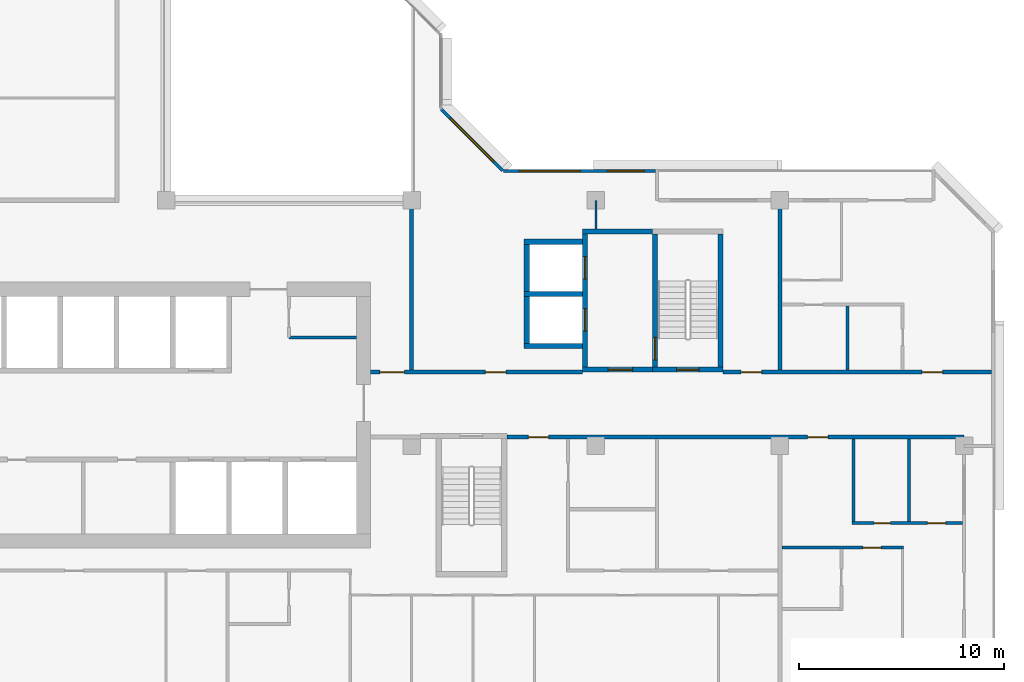
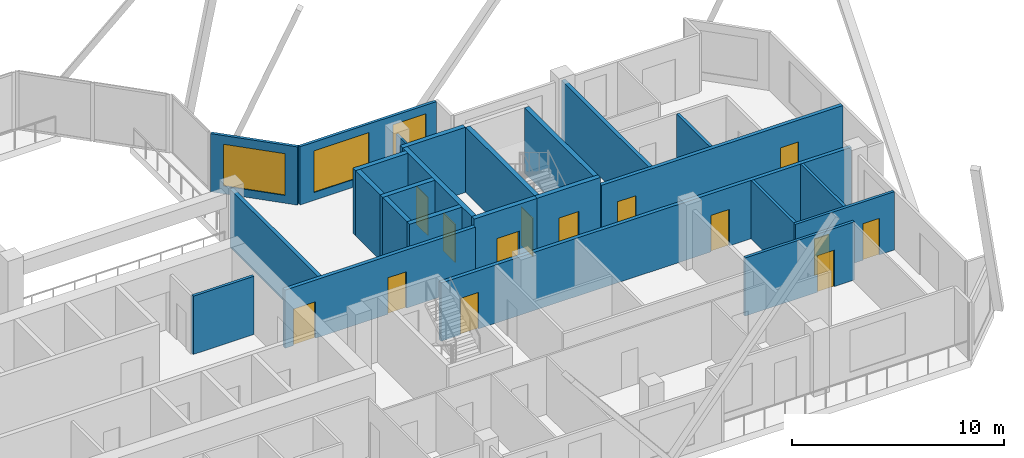
# One storey, part 7 of 14: 25 walls, 14 doors, 3 windows, 17 openings.
"""IFC4 building model written with IfcOpenShell, lengths in metres."""

import ifcopenshell
import ifcopenshell.guid

model = None  # the IFC model being written
_history = None  # IfcOwnerHistory: only IFC2X3 demands one
_inside = {}  # id of a spatial element -> (the spatial element, [elements in it])
_under = {}  # id of a project, library or spatial element -> (it, [spatial elements below it])
_declared = {}  # id of a project -> (the project, [libraries it declares])
_typed = {}  # id of a type object -> (the type object, [elements of that type])
_made_of = {}  # id of a material, layer set ... -> (it, [elements and type objects made of it])


def new_model(schema):
    """Start an empty IFC model of exactly this schema.

    Asked for "IFC4X3", IfcOpenShell would pick the latest addendum, in which some entities
    have other attributes; the version numbers below select the first issue.
    IFC2X3 requires an IfcOwnerHistory on every rooted entity: one is made here for all.
    """
    global model, _history
    if schema == "IFC4X3":
        model = ifcopenshell.file(schema_version=(4, 3, 0, 0))
    else:
        model = ifcopenshell.file(schema=schema)
    _inside.clear()
    _under.clear()
    _declared.clear()
    _typed.clear()
    _made_of.clear()
    _history = None
    if model.schema == "IFC2X3":
        org = make("IfcOrganization", Name="unknown")
        user = make(
            "IfcPersonAndOrganization",
            ThePerson=make("IfcPerson", FamilyName="unknown"),
            TheOrganization=org,
        )
        app = make(
            "IfcApplication",
            ApplicationDeveloper=org,
            Version="unknown",
            ApplicationFullName="unknown",
            ApplicationIdentifier="unknown",
        )
        _history = make(
            "IfcOwnerHistory",
            OwningUser=user,
            OwningApplication=app,
            ChangeAction="ADDED",
            CreationDate=0,
        )
    return model


def make(cls, **values):
    """One entity of the class cls with the attributes given. An attribute that is None is left unset."""
    return model.create_entity(
        cls, **{name: value for name, value in values.items() if value is not None}
    )


def rooted(cls, **values):
    """An entity with a GlobalId (a new one), such as an element, a storey or a relation."""
    return make(cls, GlobalId=ifcopenshell.guid.new(), OwnerHistory=_history, **values)


def si_unit(unit_type, name, prefix=None):
    """IfcSIUnit, for example si_unit("LENGTHUNIT", "METRE", prefix="MILLI")."""
    return make("IfcSIUnit", UnitType=unit_type, Prefix=prefix, Name=name)


def assignment(units):
    """IfcUnitAssignment: the units of a project."""
    return None if units is None else make("IfcUnitAssignment", Units=units)


def point(xyz):
    """IfcCartesianPoint."""
    return None if xyz is None else make("IfcCartesianPoint", Coordinates=xyz)


def direction(xyz):
    """IfcDirection."""
    return None if xyz is None else make("IfcDirection", DirectionRatios=xyz)


def frame(location, z_axis=None, x_axis=None):
    """IfcAxis2Placement3D, a coordinate frame: its origin and axes. An axis left out is left unset."""
    return make(
        "IfcAxis2Placement3D",
        Location=point(location),
        Axis=direction(z_axis),
        RefDirection=direction(x_axis),
    )


def frame_2d(location, x_axis=None):
    """IfcAxis2Placement2D, a coordinate frame in the plane: its origin and x axis."""
    return make(
        "IfcAxis2Placement2D", Location=point(location), RefDirection=direction(x_axis)
    )


def origin():
    """The frame at (0, 0, 0) with its axes left unset."""
    return frame((0.0, 0.0, 0.0))


def place(relative_to, where):
    """IfcLocalPlacement: puts the frame where relative to a parent placement (None: the world)."""
    return make(
        "IfcLocalPlacement", PlacementRelTo=relative_to, RelativePlacement=where
    )


def context(
    kind, dimensions, precision=None, world=None, true_north=None, identifier=None
):
    """IfcGeometricRepresentationContext, for example the 3D "Model" context."""
    return make(
        "IfcGeometricRepresentationContext",
        ContextIdentifier=identifier,
        ContextType=kind,
        CoordinateSpaceDimension=dimensions,
        Precision=precision,
        WorldCoordinateSystem=world,
        TrueNorth=true_north,
    )


def subcontext(parent, identifier, kind, view, scale=None):
    """IfcGeometricRepresentationSubContext, for example "Body" below "Model"."""
    return make(
        "IfcGeometricRepresentationSubContext",
        ContextIdentifier=identifier,
        ContextType=kind,
        ParentContext=parent,
        TargetScale=scale,
        TargetView=view,
    )


def project(units=None, contexts=None):
    """IfcProject with its units and contexts."""
    return rooted(
        "IfcProject",
        Name="project",
        RepresentationContexts=contexts,
        UnitsInContext=assignment(units),
    )


def spatial(cls, under=None, at=None, **own):
    """A site, building, storey or space (cls), placed at a placement, below another one or the project."""
    s = rooted(cls, ObjectPlacement=at, **own)
    if under is not None:
        _under.setdefault(under.id(), (under, []))[1].append(s)
    return s


def profile(cls, at=None, kind="AREA", **sizes):
    """A parametric profile (cls). Its sizes go by their IFC names, for example OverallWidth=200.0."""
    return make(cls, ProfileType=kind, Position=at, **sizes)


def rectangle(**sizes):
    """IfcRectangleProfileDef."""
    return profile("IfcRectangleProfileDef", **sizes)


def extrude(swept, where, along, depth):
    """IfcExtrudedAreaSolid: the profile swept, set in the frame where, extruded along a direction by depth."""
    return make(
        "IfcExtrudedAreaSolid",
        SweptArea=swept,
        Position=where,
        ExtrudedDirection=direction(along),
        Depth=depth,
    )


def shape(context_of_items, identifier, shape_type, items):
    """IfcShapeRepresentation: the items that make up one representation, for example the "Body"."""
    return make(
        "IfcShapeRepresentation",
        ContextOfItems=context_of_items,
        RepresentationIdentifier=identifier,
        RepresentationType=shape_type,
        Items=items,
    )


def material(Name=None, Category=None):
    """IfcMaterial."""
    return make("IfcMaterial", Name=Name, Category=Category)


def layer(
    of_material, thickness, ventilated=None, Name=None, Category=None, Priority=None
):
    """IfcMaterialLayer: one layer of a wall or slab, of a material (None: an air gap)."""
    return make(
        "IfcMaterialLayer",
        Material=of_material,
        LayerThickness=thickness,
        IsVentilated=ventilated,
        Name=Name,
        Category=Category,
        Priority=Priority,
    )


def layer_set(layers, Name=None):
    """IfcMaterialLayerSet."""
    return make("IfcMaterialLayerSet", MaterialLayers=layers, LayerSetName=Name)


def made_of(thing, what):
    """Note that an element or type object is made of a material, layer set ...; save() writes the relation."""
    if what is not None:
        _made_of.setdefault(what.id(), (what, []))[1].append(thing)
    return thing


def type_object(cls, material=None, **own):
    """A type object (cls), such as IfcWallType, which elements share."""
    return made_of(rooted(cls, **own), material)


def element(
    cls,
    number,
    at=None,
    inside=None,
    cuts=None,
    type_object=None,
    material=None,
    context=None,
    identifier="Body",
    shape_type=None,
    held_by="IfcProductDefinitionShape",
    body=None,
    shapes=None,
    **own,
):
    """One element of the class cls, such as IfcWall. Its Tag is "e" and its number.

    at: its placement. inside: the storey or other place that contains it. cuts: it is an
    opening in that element (IfcRelVoidsElement). A single representation is given by context,
    identifier, shape_type and body (its items); several are given by shapes. held_by: the class
    of the entity that holds the representations. save() writes the other relations.
    """
    e = rooted(cls, Tag="e%d" % number, ObjectPlacement=at, **own)
    if body is not None:
        shapes = [shape(context, identifier, shape_type, body)]
    if shapes is not None:
        e.Representation = make(held_by, Representations=shapes)
    if inside is not None:
        _inside.setdefault(inside.id(), (inside, []))[1].append(e)
    if cuts is not None:
        rooted(
            "IfcRelVoidsElement", RelatingBuildingElement=cuts, RelatedOpeningElement=e
        )
    if type_object is not None:
        _typed.setdefault(type_object.id(), (type_object, []))[1].append(e)
    return made_of(e, material)


def fill(opening, filler):
    """IfcRelFillsElement: the door or window that sits in an opening."""
    return rooted(
        "IfcRelFillsElement",
        RelatingOpeningElement=opening,
        RelatedBuildingElement=filler,
    )


def aggregate(whole, parts):
    """IfcRelAggregates: a whole, such as a stair, and the parts it consists of."""
    return rooted("IfcRelAggregates", RelatingObject=whole, RelatedObjects=parts)


def save(model, path):
    """Write the relations noted so far, then the file.

    IfcRelAggregates (storeys below a building ...), IfcRelContainedInSpatialStructure (elements
    in a storey), IfcRelDefinesByType, IfcRelAssociatesMaterial and IfcRelDeclares: one each for
    every whole, place, type object, material and project.
    """
    for whole, parts in _under.values():
        aggregate(whole, parts)
    for where, things in _inside.values():
        rooted(
            "IfcRelContainedInSpatialStructure",
            RelatedElements=things,
            RelatingStructure=where,
        )
    for kind, things in _typed.values():
        rooted("IfcRelDefinesByType", RelatedObjects=things, RelatingType=kind)
    for what, things in _made_of.values():
        rooted("IfcRelAssociatesMaterial", RelatedObjects=things, RelatingMaterial=what)
    for by, libraries in _declared.values():
        rooted("IfcRelDeclares", RelatingContext=by, RelatedDefinitions=libraries)
    model.write(path)


model = new_model("IFC4")

# Units and contexts
model_context = context("Model", 3, precision=1e-05, world=origin(), true_north=direction((0.0, 1.0)))
body_context = subcontext(model_context, "Body", "Model", "MODEL_VIEW")
ifc_project = project(units=[si_unit("LENGTHUNIT", "METRE"), si_unit("AREAUNIT", "SQUARE_METRE"), si_unit("VOLUMEUNIT", "CUBIC_METRE"), si_unit("PLANEANGLEUNIT", "RADIAN"), si_unit("MASSUNIT", "GRAM", prefix="KILO")], contexts=[model_context])

# Site, building, storey
site_placement = place(None, origin())
site = spatial("IfcSite", under=ifc_project, at=site_placement, CompositionType="ELEMENT")
building_placement = place(site_placement, origin())
building = spatial("IfcBuilding", under=site, at=building_placement, Name="Chenar Terraces", CompositionType="ELEMENT")
storey_placement = place(building_placement, frame((0.0, 0.0, 234.14990234375)))
storey = spatial("IfcBuildingStorey", under=building, at=storey_placement, Name="L55", CompositionType="ELEMENT", Elevation=234.14990234375)

# Wall
ifc_material_1 = material(Name="Gypsum board on steel studs", Category="steel")
ifc_layer_1 = layer(ifc_material_1, 0.14990234375)
ifc_layer_set_1 = layer_set([ifc_layer_1], Name="Gypsum board on steel studs")
wall_type_1 = type_object("IfcWallType", Name="Core partition 150 gypsum board", PredefinedType="PARTITIONING", material=ifc_layer_set_1)
wall_1_placement = place(storey_placement, frame((30.0, 17.300048828125, 0.0), z_axis=(0.0, 0.0, 1.0), x_axis=(1.0, 0.0, 0.0)))
element("IfcWall", 1, at=wall_1_placement, inside=storey, type_object=wall_type_1, Name="Core partition CP1 vestibule room south wall", PredefinedType="PARTITIONING", context=body_context, shape_type="SweptSolid", body=[
    extrude(rectangle(XDim=3.300048828125, YDim=0.14990234375, at=frame_2d((1.64990234375, 0.0))), origin(), (0.0, 0.0, 1.0), 3.35009765625),
])

# Wall, opening, door
ifc_material_2 = material(Name="Concrete C60/75", Category="concrete")
ifc_layer_2 = layer(ifc_material_2, 0.25)
ifc_layer_set_2 = layer_set([ifc_layer_2], Name="Concrete C60/75")
wall_type_2 = type_object("IfcWallType", Name="Core wall 250 Concrete C60/75", PredefinedType="SHEAR", material=ifc_layer_set_2)
wall_2_placement = place(storey_placement, frame((47.77490234375, 15.72509765625, 0.0), z_axis=(0.0, 0.0, 1.0), x_axis=(1.0, 0.0, 0.0)))
wall_2 = element("IfcWall", 2, at=wall_2_placement, inside=storey, type_object=wall_type_2, Name="Core wall ST3_S L55", PredefinedType="SHEAR", context=body_context, shape_type="SweptSolid", body=[
    extrude(rectangle(XDim=3.4501953125, YDim=0.25, at=frame_2d((1.72509765625, 0.0))), origin(), (0.0, 0.0, 1.0), 3.75),
])
opening_1_placement = place(wall_2_placement, frame((1.175048828125, 0.0, 0.0)))
opening_1 = element("IfcOpeningElement", 3, at=opening_1_placement, cuts=wall_2, Name="Opening DL55-C8", PredefinedType="OPENING", context=body_context, shape_type="SweptSolid", body=[
    extrude(rectangle(XDim=1.10009765625, YDim=2.199951171875, at=frame_2d((0.550048828125, 1.10009765625))), frame((0.0, 0.135009765625, 0.0), z_axis=(0.0, -1.0, 0.0), x_axis=(1.0, 0.0, 0.0)), (0.0, 0.0, 1.0), 0.27001953125),
])
ifc_material_3 = material(Name="Steel-framed fire-resisting door leaf", Category="steel")
door_type_1 = type_object("IfcDoorType", Name="Stair fire door FD60 1100 x 2200", OperationType="SINGLE_SWING_LEFT", PredefinedType="DOOR", material=ifc_material_3)
door_1_placement = place(opening_1_placement, frame((1.10009765625, 0.0, 0.0), z_axis=(0.0, 0.0, 1.0), x_axis=(-1.0, 0.0, 0.0)))
door_1 = element("IfcDoor", 4, at=door_1_placement, inside=storey, type_object=door_type_1, Name="Stair door DL55-C8", OperationType="SINGLE_SWING_LEFT", OverallHeight=2.199951171875, OverallWidth=1.10009765625, PredefinedType="DOOR", context=body_context, shape_type="SweptSolid", body=[
    extrude(rectangle(XDim=1.10009765625, YDim=2.199951171875, at=frame_2d((0.550048828125, 1.10009765625))), frame((0.0, 0.02490234375, 0.0), z_axis=(0.0, -1.0, 0.0), x_axis=(1.0, 0.0, 0.0)), (0.0, 0.0, 1.0), 0.050048828125),
])
fill(opening_1, door_1)

wall_3_placement = place(storey_placement, frame((47.89990234375, 15.85009765625, 0.0), z_axis=(0.0, 0.0, 1.0), x_axis=(0.0, 1.0, 0.0)))
wall_3 = element("IfcWall", 5, at=wall_3_placement, inside=storey, type_object=wall_type_2, Name="Core wall ST3_W L55", PredefinedType="SHEAR", context=body_context, shape_type="SweptSolid", body=[
    extrude(rectangle(XDim=6.5, YDim=0.25, at=frame_2d((3.25, 0.0))), origin(), (0.0, 0.0, 1.0), 3.75),
])
opening_2_placement = place(wall_3_placement, frame((0.35009765625, 0.0, 0.0)))
opening_2 = element("IfcOpeningElement", 6, at=opening_2_placement, cuts=wall_3, Name="Opening DL55-C11", PredefinedType="OPENING", context=body_context, shape_type="SweptSolid", body=[
    extrude(rectangle(XDim=1.10009765625, YDim=2.199951171875, at=frame_2d((0.550048828125, 1.10009765625))), frame((0.0, 0.135009765625, 0.0), z_axis=(0.0, -1.0, 0.0), x_axis=(1.0, 0.0, 0.0)), (0.0, 0.0, 1.0), 0.27001953125),
])
door_2_placement = place(opening_2_placement, frame((1.10009765625, 0.0, 0.0), z_axis=(0.0, 0.0, 1.0), x_axis=(-1.0, 0.0, 0.0)))
door_2 = element("IfcDoor", 7, at=door_2_placement, inside=storey, type_object=door_type_1, Name="Stair door DL55-C11", OperationType="SINGLE_SWING_RIGHT", OverallHeight=2.199951171875, OverallWidth=1.10009765625, PredefinedType="DOOR", context=body_context, shape_type="SweptSolid", body=[
    extrude(rectangle(XDim=1.10009765625, YDim=2.199951171875, at=frame_2d((0.550048828125, 1.10009765625))), frame((0.0, 0.02490234375, 0.0), z_axis=(0.0, -1.0, 0.0), x_axis=(1.0, 0.0, 0.0)), (0.0, 0.0, 1.0), 0.050048828125),
])
fill(opening_2, door_2)

# Wall
wall_4_placement = place(storey_placement, frame((51.10009765625, 15.85009765625, 0.0), z_axis=(0.0, 0.0, 1.0), x_axis=(0.0, 1.0, 0.0)))
element("IfcWall", 8, at=wall_4_placement, inside=storey, type_object=wall_type_2, Name="Core wall ST3_E L55", PredefinedType="SHEAR", context=body_context, shape_type="SweptSolid", body=[
    extrude(rectangle(XDim=6.5, YDim=0.25, at=frame_2d((3.25, 0.0))), origin(), (0.0, 0.0, 1.0), 3.75),
])

# Wall, opening, door
wall_5_placement = place(storey_placement, frame((44.35009765625, 15.72509765625, 0.0), z_axis=(0.0, 0.0, 1.0), x_axis=(1.0, 0.0, 0.0)))
wall_5 = element("IfcWall", 9, at=wall_5_placement, inside=storey, type_object=wall_type_2, Name="Core wall F3_LS L55", PredefinedType="SHEAR", context=body_context, shape_type="SweptSolid", body=[
    extrude(rectangle(XDim=3.4248046875, YDim=0.25, at=frame_2d((1.71240234375, 0.0))), origin(), (0.0, 0.0, 1.0), 3.75),
])
opening_3_placement = place(wall_5_placement, frame((1.25, 0.0, 0.0)))
opening_3 = element("IfcOpeningElement", 10, at=opening_3_placement, cuts=wall_5, Name="Opening DL55-C10", PredefinedType="OPENING", context=body_context, shape_type="SweptSolid", body=[
    extrude(rectangle(XDim=1.199951171875, YDim=2.199951171875, at=frame_2d((0.60009765625, 1.10009765625))), frame((0.0, 0.135009765625, 0.0), z_axis=(0.0, -1.0, 0.0), x_axis=(1.0, 0.0, 0.0)), (0.0, 0.0, 1.0), 0.27001953125),
])
ifc_material_4 = material(Name="Steel-framed fire-resisting door leaf", Category="steel")
door_type_2 = type_object("IfcDoorType", Name="Lobby fire door FD60 1200 x 2200", OperationType="SINGLE_SWING_LEFT", PredefinedType="DOOR", material=ifc_material_4)
door_3_placement = place(opening_3_placement, origin())
door_3 = element("IfcDoor", 11, at=door_3_placement, inside=storey, type_object=door_type_2, Name="Core door DL55-C10", OperationType="SINGLE_SWING_RIGHT", OverallHeight=2.199951171875, OverallWidth=1.199951171875, PredefinedType="DOOR", context=body_context, shape_type="SweptSolid", body=[
    extrude(rectangle(XDim=1.199951171875, YDim=2.199951171875, at=frame_2d((0.60009765625, 1.10009765625))), frame((0.0, 0.02490234375, 0.0), z_axis=(0.0, -1.0, 0.0), x_axis=(1.0, 0.0, 0.0)), (0.0, 0.0, 1.0), 0.050048828125),
])
fill(opening_3, door_3)

# Wall
wall_6_placement = place(storey_placement, frame((44.35009765625, 22.47509765625, 0.0), z_axis=(0.0, 0.0, 1.0), x_axis=(1.0, 0.0, 0.0)))
element("IfcWall", 12, at=wall_6_placement, inside=storey, type_object=wall_type_2, Name="Core wall F3_LN L55", PredefinedType="SHEAR", context=body_context, shape_type="SweptSolid", body=[
    extrude(rectangle(XDim=3.4248046875, YDim=0.25, at=frame_2d((1.71240234375, 0.0))), origin(), (0.0, 0.0, 1.0), 3.75),
])

# Wall, openings, doors
wall_7_placement = place(storey_placement, frame((44.47509765625, 15.85009765625, 0.0), z_axis=(0.0, 0.0, 1.0), x_axis=(0.0, 1.0, 0.0)))
wall_7 = element("IfcWall", 13, at=wall_7_placement, inside=storey, type_object=wall_type_2, Name="Core wall F3_LW L55", PredefinedType="SHEAR", context=body_context, shape_type="SweptSolid", body=[
    extrude(rectangle(XDim=6.5, YDim=0.25, at=frame_2d((3.25, 0.0))), origin(), (0.0, 0.0, 1.0), 3.75),
])
opening_4_placement = place(wall_7_placement, frame((1.75, 0.0, 0.0)))
opening_4 = element("IfcOpeningElement", 14, at=opening_4_placement, cuts=wall_7, Name="Opening DL55-LD8", PredefinedType="OPENING", context=body_context, shape_type="SweptSolid", body=[
    extrude(rectangle(XDim=1.10009765625, YDim=2.199951171875, at=frame_2d((0.550048828125, 1.10009765625))), frame((0.0, 0.135009765625, 0.0), z_axis=(0.0, -1.0, 0.0), x_axis=(1.0, 0.0, 0.0)), (0.0, 0.0, 1.0), 0.27001953125),
])
opening_5_placement = place(wall_7_placement, frame((4.300048828125, 0.0, 0.0)))
opening_5 = element("IfcOpeningElement", 15, at=opening_5_placement, cuts=wall_7, Name="Opening DL55-LD9", PredefinedType="OPENING", context=body_context, shape_type="SweptSolid", body=[
    extrude(rectangle(XDim=1.10009765625, YDim=2.199951171875, at=frame_2d((0.550048828125, 1.10009765625))), frame((0.0, 0.135009765625, 0.0), z_axis=(0.0, -1.0, 0.0), x_axis=(1.0, 0.0, 0.0)), (0.0, 0.0, 1.0), 0.27001953125),
])
ifc_material_5 = material(Name="Stainless steel", Category="steel")
door_type_3 = type_object("IfcDoorType", Name="Lift landing door 1100 x 2200 sliding", OperationType="DOUBLE_DOOR_SLIDING", PredefinedType="DOOR", material=ifc_material_5)
door_4_placement = place(opening_4_placement, origin())
door_4 = element("IfcDoor", 16, at=door_4_placement, inside=storey, type_object=door_type_3, Name="Landing door F3", OperationType="DOUBLE_DOOR_SLIDING", OverallHeight=2.199951171875, OverallWidth=1.10009765625, PredefinedType="DOOR", context=body_context, shape_type="SweptSolid", body=[
    extrude(rectangle(XDim=1.10009765625, YDim=2.199951171875, at=frame_2d((0.550048828125, 1.10009765625))), frame((0.0, 0.02490234375, 0.0), z_axis=(0.0, -1.0, 0.0), x_axis=(1.0, 0.0, 0.0)), (0.0, 0.0, 1.0), 0.050048828125),
])
fill(opening_4, door_4)
door_5_placement = place(opening_5_placement, origin())
door_5 = element("IfcDoor", 17, at=door_5_placement, inside=storey, type_object=door_type_3, Name="Landing door F4", OperationType="DOUBLE_DOOR_SLIDING", OverallHeight=2.199951171875, OverallWidth=1.10009765625, PredefinedType="DOOR", context=body_context, shape_type="SweptSolid", body=[
    extrude(rectangle(XDim=1.10009765625, YDim=2.199951171875, at=frame_2d((0.550048828125, 1.10009765625))), frame((0.0, 0.02490234375, 0.0), z_axis=(0.0, -1.0, 0.0), x_axis=(1.0, 0.0, 0.0)), (0.0, 0.0, 1.0), 0.050048828125),
])
fill(opening_5, door_5)

# Walls
for number, where, z_axis, x_axis, name in (
    (18, (41.5, 16.875, 0.0), (0.0, 0.0, 1.0), (1.0, 0.0, 0.0), "Core wall F3_SS L55"),
    (19, (41.5, 19.425048828125, 0.0), (0.0, 0.0, 1.0), (1.0, 0.0, 0.0), "Core wall F3_SM L55"),
    (20, (41.5, 21.97509765625, 0.0), (0.0, 0.0, 1.0), (1.0, 0.0, 0.0), "Core wall F4_SN L55"),
):
    element("IfcWall", number, at=place(storey_placement, frame(where, z_axis=z_axis, x_axis=x_axis)), inside=storey, type_object=wall_type_2, Name=name, PredefinedType="SHEAR", context=body_context, shape_type="SweptSolid", body=[
        extrude(rectangle(XDim=2.85009765625, YDim=0.25, at=frame_2d((1.425048828125, 0.0))), origin(), (0.0, 0.0, 1.0), 3.75),
    ])
for number, where, z_axis, x_axis, name in (
    (21, (41.625, 17.0, 0.0), (0.0, 0.0, 1.0), (0.0, 1.0, 0.0), "Core wall F3_SW L55"),
    (22, (41.625, 19.550048828125, 0.0), (0.0, 0.0, 1.0), (0.0, 1.0, 0.0), "Core wall F4_SW L55"),
):
    element("IfcWall", number, at=place(storey_placement, frame(where, z_axis=z_axis, x_axis=x_axis)), inside=storey, type_object=wall_type_2, Name=name, PredefinedType="SHEAR", context=body_context, shape_type="SweptSolid", body=[
        extrude(rectangle(XDim=2.300048828125, YDim=0.25, at=frame_2d((1.14990234375, 0.0))), origin(), (0.0, 0.0, 1.0), 3.75),
    ])

# Wall, openings, doors
ifc_material_6 = material(Name="Gypsum board on steel studs with fire boards", Category="steel")
ifc_layer_3 = layer(ifc_material_6, 0.199951171875)
ifc_layer_set_3 = layer_set([ifc_layer_3], Name="Gypsum board on steel studs with fire boards")
wall_type_3 = type_object("IfcWallType", Name="Corridor wall 200", PredefinedType="PARTITIONING", material=ifc_layer_set_3)
wall_8_placement = place(storey_placement, frame((34.0, 15.60009765625, 0.0), z_axis=(0.0, 0.0, 1.0), x_axis=(1.0, 0.0, 0.0)))
wall_8 = element("IfcWall", 23, at=wall_8_placement, inside=storey, type_object=wall_type_3, Name="Partition L55-066", PredefinedType="PARTITIONING", context=body_context, shape_type="SweptSolid", body=[
    extrude(rectangle(XDim=10.35009765625, YDim=0.199951171875, at=frame_2d((5.175048828125, 0.0))), origin(), (0.0, 0.0, 1.0), 3.35009765625),
])
opening_6_placement = place(wall_8_placement, frame((5.60009765625, 0.0, 0.0)))
opening_6 = element("IfcOpeningElement", 24, at=opening_6_placement, cuts=wall_8, Name="Opening DL55-3", PredefinedType="OPENING", context=body_context, shape_type="SweptSolid", body=[
    extrude(rectangle(XDim=1.0, YDim=2.10009765625, at=frame_2d((0.5, 1.050048828125))), frame((0.0, 0.10986328125, 0.0), z_axis=(0.0, -1.0, 0.0), x_axis=(1.0, 0.0, 0.0)), (0.0, 0.0, 1.0), 0.219970703125),
])
opening_7_placement = place(wall_8_placement, frame((0.449951171875, 0.0, 0.0)))
opening_7 = element("IfcOpeningElement", 25, at=opening_7_placement, cuts=wall_8, Name="Opening DL55-36", PredefinedType="OPENING", context=body_context, shape_type="SweptSolid", body=[
    extrude(rectangle(XDim=1.199951171875, YDim=2.10009765625, at=frame_2d((0.60009765625, 1.050048828125))), frame((0.0, 0.10986328125, 0.0), z_axis=(0.0, -1.0, 0.0), x_axis=(1.0, 0.0, 0.0)), (0.0, 0.0, 1.0), 0.219970703125),
])
ifc_material_7 = material(Name="Steel-framed fire-resisting door leaf", Category="steel")
door_type_4 = type_object("IfcDoorType", Name="Fire door FD60 1000 x 2100", OperationType="SINGLE_SWING_LEFT", PredefinedType="DOOR", material=ifc_material_7)
door_6_placement = place(opening_6_placement, origin())
door_6 = element("IfcDoor", 26, at=door_6_placement, inside=storey, type_object=door_type_4, Name="Door DL55-3", OperationType="SINGLE_SWING_RIGHT", OverallHeight=2.10009765625, OverallWidth=1.0, PredefinedType="DOOR", context=body_context, shape_type="SweptSolid", body=[
    extrude(rectangle(XDim=1.0, YDim=2.10009765625, at=frame_2d((0.5, 1.050048828125))), frame((0.0, 0.02490234375, 0.0), z_axis=(0.0, -1.0, 0.0), x_axis=(1.0, 0.0, 0.0)), (0.0, 0.0, 1.0), 0.050048828125),
])
fill(opening_6, door_6)
ifc_material_8 = material(Name="Steel-framed fire-resisting door leaf", Category="steel")
door_type_5 = type_object("IfcDoorType", Name="Fire door FD60 1200 x 2100", OperationType="SINGLE_SWING_LEFT", PredefinedType="DOOR", material=ifc_material_8)
door_7_placement = place(opening_7_placement, origin())
door_7 = element("IfcDoor", 27, at=door_7_placement, inside=storey, type_object=door_type_5, Name="Door DL55-36", OperationType="SINGLE_SWING_RIGHT", OverallHeight=2.10009765625, OverallWidth=1.199951171875, PredefinedType="DOOR", context=body_context, shape_type="SweptSolid", body=[
    extrude(rectangle(XDim=1.199951171875, YDim=2.10009765625, at=frame_2d((0.60009765625, 1.050048828125))), frame((0.0, 0.02490234375, 0.0), z_axis=(0.0, -1.0, 0.0), x_axis=(1.0, 0.0, 0.0)), (0.0, 0.0, 1.0), 0.050048828125),
])
fill(opening_7, door_7)

# Wall
wall_9_placement = place(storey_placement, frame((36.0, 15.699951171875, 0.0), z_axis=(0.0, 0.0, 1.0), x_axis=(0.0, 1.0, 0.0)))
element("IfcWall", 28, at=wall_9_placement, inside=storey, type_object=wall_type_3, Name="Partition L55-068", PredefinedType="PARTITIONING", context=body_context, shape_type="SweptSolid", body=[
    extrude(rectangle(XDim=8.300048828125, YDim=0.199951171875, at=frame_2d((4.14990234375, 0.0))), origin(), (0.0, 0.0, 1.0), 3.35009765625),
])

# Wall, openings, doors
wall_10_placement = place(storey_placement, frame((40.64990234375, 12.425048828125, 0.0), z_axis=(0.0, 0.0, 1.0), x_axis=(1.0, 0.0, 0.0)))
wall_10 = element("IfcWall", 29, at=wall_10_placement, inside=storey, type_object=wall_type_3, Name="Partition L55-070", PredefinedType="PARTITIONING", context=body_context, shape_type="SweptSolid", body=[
    extrude(rectangle(XDim=22.35009765625, YDim=0.199951171875, at=frame_2d((11.175048828125, 0.0))), origin(), (0.0, 0.0, 1.0), 3.35009765625),
])
opening_8_placement = place(wall_10_placement, frame((14.699951171875, 0.0, 0.0)))
opening_8 = element("IfcOpeningElement", 30, at=opening_8_placement, cuts=wall_10, Name="Opening DL55-12", PredefinedType="OPENING", context=body_context, shape_type="SweptSolid", body=[
    extrude(rectangle(XDim=1.0, YDim=2.10009765625, at=frame_2d((0.5, 1.050048828125))), frame((0.0, 0.10986328125, 0.0), z_axis=(0.0, -1.0, 0.0), x_axis=(1.0, 0.0, 0.0)), (0.0, 0.0, 1.0), 0.219970703125),
])
opening_9_placement = place(wall_10_placement, frame((1.050048828125, 0.0, 0.0)))
opening_9 = element("IfcOpeningElement", 31, at=opening_9_placement, cuts=wall_10, Name="Opening DL55-53", PredefinedType="OPENING", context=body_context, shape_type="SweptSolid", body=[
    extrude(rectangle(XDim=1.0, YDim=2.10009765625, at=frame_2d((0.5, 1.050048828125))), frame((0.0, 0.10986328125, 0.0), z_axis=(0.0, -1.0, 0.0), x_axis=(1.0, 0.0, 0.0)), (0.0, 0.0, 1.0), 0.219970703125),
])
ifc_material_9 = material(Name="Steel-framed fire-resisting door leaf", Category="steel")
door_type_6 = type_object("IfcDoorType", Name="Fire door FD30S 1000 x 2100", OperationType="SINGLE_SWING_LEFT", PredefinedType="DOOR", material=ifc_material_9)
door_8_placement = place(opening_8_placement, frame((1.0, 0.0, 0.0), z_axis=(0.0, 0.0, 1.0), x_axis=(-1.0, 0.0, 0.0)))
door_8 = element("IfcDoor", 32, at=door_8_placement, inside=storey, type_object=door_type_6, Name="Door DL55-12", OperationType="SINGLE_SWING_RIGHT", OverallHeight=2.10009765625, OverallWidth=1.0, PredefinedType="DOOR", context=body_context, shape_type="SweptSolid", body=[
    extrude(rectangle(XDim=1.0, YDim=2.10009765625, at=frame_2d((0.5, 1.050048828125))), frame((0.0, 0.02490234375, 0.0), z_axis=(0.0, -1.0, 0.0), x_axis=(1.0, 0.0, 0.0)), (0.0, 0.0, 1.0), 0.050048828125),
])
fill(opening_8, door_8)
door_9_placement = place(opening_9_placement, origin())
door_9 = element("IfcDoor", 33, at=door_9_placement, inside=storey, type_object=door_type_6, Name="Door DL55-53", OperationType="SINGLE_SWING_LEFT", OverallHeight=2.10009765625, OverallWidth=1.0, PredefinedType="DOOR", context=body_context, shape_type="SweptSolid", body=[
    extrude(rectangle(XDim=1.0, YDim=2.10009765625, at=frame_2d((0.5, 1.050048828125))), frame((0.0, 0.02490234375, 0.0), z_axis=(0.0, -1.0, 0.0), x_axis=(1.0, 0.0, 0.0)), (0.0, 0.0, 1.0), 0.050048828125),
])
fill(opening_9, door_9)

wall_11_placement = place(storey_placement, frame((51.22509765625, 15.60009765625, 0.0), z_axis=(0.0, 0.0, 1.0), x_axis=(1.0, 0.0, 0.0)))
wall_11 = element("IfcWall", 34, at=wall_11_placement, inside=storey, type_object=wall_type_3, Name="Partition L55-078", PredefinedType="PARTITIONING", context=body_context, shape_type="SweptSolid", body=[
    extrude(rectangle(XDim=13.125, YDim=0.199951171875, at=frame_2d((6.5625, 0.0))), origin(), (0.0, 0.0, 1.0), 3.35009765625),
])
opening_10_placement = place(wall_11_placement, frame((9.72509765625, 0.0, 0.0)))
opening_10 = element("IfcOpeningElement", 35, at=opening_10_placement, cuts=wall_11, Name="Opening DL55-7", PredefinedType="OPENING", context=body_context, shape_type="SweptSolid", body=[
    extrude(rectangle(XDim=1.0, YDim=2.10009765625, at=frame_2d((0.5, 1.050048828125))), frame((0.0, 0.10986328125, 0.0), z_axis=(0.0, -1.0, 0.0), x_axis=(1.0, 0.0, 0.0)), (0.0, 0.0, 1.0), 0.219970703125),
])
opening_11_placement = place(wall_11_placement, frame((0.875, 0.0, 0.0)))
opening_11 = element("IfcOpeningElement", 36, at=opening_11_placement, cuts=wall_11, Name="Opening DL55-40", PredefinedType="OPENING", context=body_context, shape_type="SweptSolid", body=[
    extrude(rectangle(XDim=1.0, YDim=2.10009765625, at=frame_2d((0.5, 1.050048828125))), frame((0.0, 0.10986328125, 0.0), z_axis=(0.0, -1.0, 0.0), x_axis=(1.0, 0.0, 0.0)), (0.0, 0.0, 1.0), 0.219970703125),
])
door_10_placement = place(opening_10_placement, origin())
door_10 = element("IfcDoor", 37, at=door_10_placement, inside=storey, type_object=door_type_6, Name="Door DL55-7", OperationType="SINGLE_SWING_LEFT", OverallHeight=2.10009765625, OverallWidth=1.0, PredefinedType="DOOR", context=body_context, shape_type="SweptSolid", body=[
    extrude(rectangle(XDim=1.0, YDim=2.10009765625, at=frame_2d((0.5, 1.050048828125))), frame((0.0, 0.02490234375, 0.0), z_axis=(0.0, -1.0, 0.0), x_axis=(1.0, 0.0, 0.0)), (0.0, 0.0, 1.0), 0.050048828125),
])
fill(opening_10, door_10)
door_11_placement = place(opening_11_placement, origin())
door_11 = element("IfcDoor", 38, at=door_11_placement, inside=storey, type_object=door_type_6, Name="Door DL55-40", OperationType="SINGLE_SWING_RIGHT", OverallHeight=2.10009765625, OverallWidth=1.0, PredefinedType="DOOR", context=body_context, shape_type="SweptSolid", body=[
    extrude(rectangle(XDim=1.0, YDim=2.10009765625, at=frame_2d((0.5, 1.050048828125))), frame((0.0, 0.02490234375, 0.0), z_axis=(0.0, -1.0, 0.0), x_axis=(1.0, 0.0, 0.0)), (0.0, 0.0, 1.0), 0.050048828125),
])
fill(opening_11, door_11)

# Wall, openings, windows
ifc_material_10 = material(Name="Aluminium framed glazing", Category="aluminium")
ifc_layer_4 = layer(ifc_material_10, 0.14990234375)
ifc_layer_set_4 = layer_set([ifc_layer_4], Name="Aluminium framed glazing")
wall_type_4 = type_object("IfcWallType", Name="Glazed flush facade wall 150", PredefinedType="SOLIDWALL", material=ifc_layer_set_4)
wall_12_placement = place(storey_placement, frame((47.925048828125, 25.425048828125, 0.0), z_axis=(0.0, 0.0, 1.0), x_axis=(-1.0, 0.0, 0.0)))
wall_12 = element("IfcWall", 39, at=wall_12_placement, inside=storey, type_object=wall_type_4, Name="Glazed flush facade wall", PredefinedType="SOLIDWALL", context=body_context, shape_type="SweptSolid", body=[
    extrude(rectangle(XDim=7.425048828125, YDim=0.14990234375, at=frame_2d((3.71240234375, 0.0))), origin(), (0.0, 0.0, 1.0), 3.35009765625),
])
opening_12_placement = place(wall_12_placement, frame((0.5625, 0.0, 0.449951171875)))
opening_12 = element("IfcOpeningElement", 40, at=opening_12_placement, cuts=wall_12, Name="Opening W180x240", PredefinedType="OPENING", context=body_context, shape_type="SweptSolid", body=[
    extrude(rectangle(XDim=1.800048828125, YDim=2.39990234375, at=frame_2d((0.89990234375, 1.199951171875))), frame((0.0, 0.0849609375, 0.0), z_axis=(0.0, -1.0, 0.0), x_axis=(1.0, 0.0, 0.0)), (0.0, 0.0, 1.0), 0.169921875),
])
opening_13_placement = place(wall_12_placement, frame((3.675048828125, 0.0, 0.449951171875)))
opening_13 = element("IfcOpeningElement", 41, at=opening_13_placement, cuts=wall_12, Name="Opening W300x240", PredefinedType="OPENING", context=body_context, shape_type="SweptSolid", body=[
    extrude(rectangle(XDim=3.0, YDim=2.39990234375, at=frame_2d((1.5, 1.199951171875))), frame((0.0, 0.0849609375, 0.0), z_axis=(0.0, -1.0, 0.0), x_axis=(1.0, 0.0, 0.0)), (0.0, 0.0, 1.0), 0.169921875),
])
ifc_material_11 = material(Name="Low emissivity double glazing, aluminium frame", Category="aluminium")
window_type_1 = type_object("IfcWindowType", Name="Fixed light 1800 x 2400", PartitioningType="SINGLE_PANEL", PredefinedType="WINDOW", material=ifc_material_11)
window_1_placement = place(opening_12_placement, origin())
window_1 = element("IfcWindow", 42, at=window_1_placement, inside=storey, type_object=window_type_1, Name="Window", OverallHeight=2.39990234375, OverallWidth=1.800048828125, PartitioningType="SINGLE_PANEL", PredefinedType="WINDOW", context=body_context, shape_type="SweptSolid", body=[
    extrude(rectangle(XDim=1.800048828125, YDim=2.39990234375, at=frame_2d((0.89990234375, 1.199951171875))), frame((0.0, 0.030029296875, 0.0), z_axis=(0.0, -1.0, 0.0), x_axis=(1.0, 0.0, 0.0)), (0.0, 0.0, 1.0), 0.06005859375),
])
fill(opening_12, window_1)
ifc_material_12 = material(Name="Low emissivity double glazing, aluminium frame", Category="aluminium")
window_type_2 = type_object("IfcWindowType", Name="Fixed light 3000 x 2400", PartitioningType="SINGLE_PANEL", PredefinedType="WINDOW", material=ifc_material_12)
window_2_placement = place(opening_13_placement, origin())
window_2 = element("IfcWindow", 43, at=window_2_placement, inside=storey, type_object=window_type_2, Name="Window", OverallHeight=2.39990234375, OverallWidth=3.0, PartitioningType="SINGLE_PANEL", PredefinedType="WINDOW", context=body_context, shape_type="SweptSolid", body=[
    extrude(rectangle(XDim=3.0, YDim=2.39990234375, at=frame_2d((1.5, 1.199951171875))), frame((0.0, 0.030029296875, 0.0), z_axis=(0.0, -1.0, 0.0), x_axis=(1.0, 0.0, 0.0)), (0.0, 0.0, 1.0), 0.06005859375),
])
fill(opening_13, window_2)

# Wall
ifc_material_13 = material(Name="Gypsum board on steel studs", Category="steel")
ifc_layer_5 = layer(ifc_material_13, 0.10009765625)
ifc_layer_set_5 = layer_set([ifc_layer_5], Name="Gypsum board on steel studs")
wall_type_5 = type_object("IfcWallType", Name="Gypsum partition 100", PredefinedType="PARTITIONING", material=ifc_layer_set_5)
wall_13_placement = place(storey_placement, frame((45.0, 22.60009765625, 0.0), z_axis=(0.0, 0.0, 1.0), x_axis=(0.0, 1.0, 0.0)))
element("IfcWall", 44, at=wall_13_placement, inside=storey, type_object=wall_type_5, Name="Partition L55-075", PredefinedType="PARTITIONING", context=body_context, shape_type="SweptSolid", body=[
    extrude(rectangle(XDim=1.39990234375, YDim=0.10009765625, at=frame_2d((0.699951171875, 0.0))), origin(), (0.0, 0.0, 1.0), 3.35009765625),
])

# Wall, opening, window
ifc_material_14 = material(Name="Terracotta cladding on insulated backing", Category="masonry")
ifc_layer_6 = layer(ifc_material_14, 0.14990234375)
ifc_layer_set_6 = layer_set([ifc_layer_6], Name="Terracotta cladding on insulated backing")
wall_type_6 = type_object("IfcWallType", Name="Terracotta rainscreen wall 150", PredefinedType="SOLIDWALL", material=ifc_layer_set_6)
wall_14_placement = place(storey_placement, frame((40.447021484375, 25.447021484375, 0.0), z_axis=(0.0, 0.0, 1.0), x_axis=(-0.707106781187, 0.707106781187, 0.0)))
wall_14 = element("IfcWall", 45, at=wall_14_placement, inside=storey, type_object=wall_type_6, Name="Terracotta rainscreen wall", PredefinedType="SOLIDWALL", context=body_context, shape_type="SweptSolid", body=[
    extrude(rectangle(XDim=4.24267578125, YDim=0.14990234375, at=frame_2d((2.121337890625, 0.0))), origin(), (0.0, 0.0, 1.0), 3.35009765625),
])
opening_14_placement = place(wall_14_placement, frame((0.621337890625, 0.0, 0.449951171875)))
opening_14 = element("IfcOpeningElement", 46, at=opening_14_placement, cuts=wall_14, Name="Opening W300x240", PredefinedType="OPENING", context=body_context, shape_type="SweptSolid", body=[
    extrude(rectangle(XDim=3.0, YDim=2.39990234375, at=frame_2d((1.5, 1.199951171875))), frame((0.0, 0.0849609375, 0.0), z_axis=(0.0, -1.0, 0.0), x_axis=(1.0, 0.0, 0.0)), (0.0, 0.0, 1.0), 0.169921875),
])
window_3_placement = place(opening_14_placement, origin())
window_3 = element("IfcWindow", 47, at=window_3_placement, inside=storey, type_object=window_type_2, Name="Window", OverallHeight=2.39990234375, OverallWidth=3.0, PartitioningType="SINGLE_PANEL", PredefinedType="WINDOW", context=body_context, shape_type="SweptSolid", body=[
    extrude(rectangle(XDim=3.0, YDim=2.39990234375, at=frame_2d((1.5, 1.199951171875))), frame((0.0, 0.030029296875, 0.0), z_axis=(0.0, -1.0, 0.0), x_axis=(1.0, 0.0, 0.0)), (0.0, 0.0, 1.0), 0.06005859375),
])
fill(opening_14, window_3)

# Wall
ifc_material_15 = material(Name="Twin gypsum board on steel studs with mineral wool", Category="steel")
ifc_layer_7 = layer(ifc_material_15, 0.199951171875)
ifc_layer_set_7 = layer_set([ifc_layer_7], Name="Twin gypsum board on steel studs with mineral wool")
wall_type_7 = type_object("IfcWallType", Name="Unit demising wall 200", PredefinedType="PARTITIONING", material=ifc_layer_set_7)
wall_15_placement = place(storey_placement, frame((54.0, 15.699951171875, 0.0), z_axis=(0.0, 0.0, 1.0), x_axis=(0.0, 1.0, 0.0)))
element("IfcWall", 48, at=wall_15_placement, inside=storey, type_object=wall_type_7, Name="Partition L55-080", PredefinedType="PARTITIONING", context=body_context, shape_type="SweptSolid", body=[
    extrude(rectangle(XDim=8.22607421875, YDim=0.199951171875, at=frame_2d((4.113037109375, 0.0))), origin(), (0.0, 0.0, 1.0), 3.35009765625),
])

# Wall, opening, door
ifc_material_16 = material(Name="Moisture-resistant gypsum board on steel studs", Category="steel")
ifc_layer_8 = layer(ifc_material_16, 0.14990234375)
ifc_layer_set_8 = layer_set([ifc_layer_8], Name="Moisture-resistant gypsum board on steel studs")
wall_type_8 = type_object("IfcWallType", Name="Wet-room partition 150", PredefinedType="PARTITIONING", material=ifc_layer_set_8)
wall_16_placement = place(storey_placement, frame((54.10009765625, 7.02490234375, 0.0), z_axis=(0.0, 0.0, 1.0), x_axis=(1.0, 0.0, 0.0)))
wall_16 = element("IfcWall", 49, at=wall_16_placement, inside=storey, type_object=wall_type_8, Name="Partition L55-082", PredefinedType="PARTITIONING", context=body_context, shape_type="SweptSolid", body=[
    extrude(rectangle(XDim=5.949951171875, YDim=0.14990234375, at=frame_2d((2.97509765625, 0.0))), origin(), (0.0, 0.0, 1.0), 3.35009765625),
])
opening_15_placement = place(wall_16_placement, frame((3.949951171875, 0.0, 0.0)))
opening_15 = element("IfcOpeningElement", 50, at=opening_15_placement, cuts=wall_16, Name="Opening DL55-9", PredefinedType="OPENING", context=body_context, shape_type="SweptSolid", body=[
    extrude(rectangle(XDim=0.89990234375, YDim=2.10009765625, at=frame_2d((0.449951171875, 1.050048828125))), frame((0.0, 0.0849609375, 0.0), z_axis=(0.0, -1.0, 0.0), x_axis=(1.0, 0.0, 0.0)), (0.0, 0.0, 1.0), 0.169921875),
])
ifc_material_17 = material(Name="Veneered timber door leaf", Category="wood")
door_type_7 = type_object("IfcDoorType", Name="Door 900 x 2100", OperationType="SINGLE_SWING_LEFT", PredefinedType="DOOR", material=ifc_material_17)
door_12_placement = place(opening_15_placement, frame((0.89990234375, 0.0, 0.0), z_axis=(0.0, 0.0, 1.0), x_axis=(-1.0, 0.0, 0.0)))
door_12 = element("IfcDoor", 51, at=door_12_placement, inside=storey, type_object=door_type_7, Name="Door DL55-9", OperationType="SINGLE_SWING_LEFT", OverallHeight=2.10009765625, OverallWidth=0.89990234375, PredefinedType="DOOR", context=body_context, shape_type="SweptSolid", body=[
    extrude(rectangle(XDim=0.89990234375, YDim=2.10009765625, at=frame_2d((0.449951171875, 1.050048828125))), frame((0.0, 0.02490234375, 0.0), z_axis=(0.0, -1.0, 0.0), x_axis=(1.0, 0.0, 0.0)), (0.0, 0.0, 1.0), 0.050048828125),
])
fill(opening_15, door_12)

# Wall
wall_17_placement = place(storey_placement, frame((57.300048828125, 15.699951171875, 0.0), z_axis=(0.0, 0.0, 1.0), x_axis=(0.0, 1.0, 0.0)))
element("IfcWall", 52, at=wall_17_placement, inside=storey, type_object=wall_type_8, Name="Partition L55-087", PredefinedType="PARTITIONING", context=body_context, shape_type="SweptSolid", body=[
    extrude(rectangle(XDim=3.125, YDim=0.14990234375, at=frame_2d((1.5625, 0.0))), origin(), (0.0, 0.0, 1.0), 3.35009765625),
])

# Wall, openings, doors
wall_18_placement = place(storey_placement, frame((57.52490234375, 8.22509765625, 0.0), z_axis=(0.0, 0.0, 1.0), x_axis=(1.0, 0.0, 0.0)))
wall_18 = element("IfcWall", 53, at=wall_18_placement, inside=storey, type_object=wall_type_8, Name="Partition L55-088", PredefinedType="PARTITIONING", context=body_context, shape_type="SweptSolid", body=[
    extrude(rectangle(XDim=5.401123046875, YDim=0.14990234375, at=frame_2d((2.70068359375, 0.0))), origin(), (0.0, 0.0, 1.0), 3.35009765625),
])
opening_16_placement = place(wall_18_placement, frame((1.074951171875, 0.0, 0.0)))
opening_16 = element("IfcOpeningElement", 54, at=opening_16_placement, cuts=wall_18, Name="Opening DL55-8", PredefinedType="OPENING", context=body_context, shape_type="SweptSolid", body=[
    extrude(rectangle(XDim=0.800048828125, YDim=2.10009765625, at=frame_2d((0.39990234375, 1.050048828125))), frame((0.0, 0.0849609375, 0.0), z_axis=(0.0, -1.0, 0.0), x_axis=(1.0, 0.0, 0.0)), (0.0, 0.0, 1.0), 0.169921875),
])
opening_17_placement = place(wall_18_placement, frame((3.675048828125, 0.0, 0.0)))
opening_17 = element("IfcOpeningElement", 55, at=opening_17_placement, cuts=wall_18, Name="Opening DL55-11", PredefinedType="OPENING", context=body_context, shape_type="SweptSolid", body=[
    extrude(rectangle(XDim=0.89990234375, YDim=2.10009765625, at=frame_2d((0.449951171875, 1.050048828125))), frame((0.0, 0.0849609375, 0.0), z_axis=(0.0, -1.0, 0.0), x_axis=(1.0, 0.0, 0.0)), (0.0, 0.0, 1.0), 0.169921875),
])
ifc_material_18 = material(Name="Veneered timber door leaf", Category="wood")
door_type_8 = type_object("IfcDoorType", Name="Door 800 x 2100", OperationType="SINGLE_SWING_LEFT", PredefinedType="DOOR", material=ifc_material_18)
door_13_placement = place(opening_16_placement, origin())
door_13 = element("IfcDoor", 56, at=door_13_placement, inside=storey, type_object=door_type_8, Name="Door DL55-8", OperationType="SINGLE_SWING_RIGHT", OverallHeight=2.10009765625, OverallWidth=0.800048828125, PredefinedType="DOOR", context=body_context, shape_type="SweptSolid", body=[
    extrude(rectangle(XDim=0.800048828125, YDim=2.10009765625, at=frame_2d((0.39990234375, 1.050048828125))), frame((0.0, 0.02490234375, 0.0), z_axis=(0.0, -1.0, 0.0), x_axis=(1.0, 0.0, 0.0)), (0.0, 0.0, 1.0), 0.050048828125),
])
fill(opening_16, door_13)
door_14_placement = place(opening_17_placement, origin())
door_14 = element("IfcDoor", 57, at=door_14_placement, inside=storey, type_object=door_type_7, Name="Door DL55-11", OperationType="SINGLE_SWING_LEFT", OverallHeight=2.10009765625, OverallWidth=0.89990234375, PredefinedType="DOOR", context=body_context, shape_type="SweptSolid", body=[
    extrude(rectangle(XDim=0.89990234375, YDim=2.10009765625, at=frame_2d((0.449951171875, 1.050048828125))), frame((0.0, 0.02490234375, 0.0), z_axis=(0.0, -1.0, 0.0), x_axis=(1.0, 0.0, 0.0)), (0.0, 0.0, 1.0), 0.050048828125),
])
fill(opening_17, door_14)

# Walls
for number, where, z_axis, x_axis, name in (
    (58, (57.60009765625, 8.300048828125, 0.0), (0.0, 0.0, 1.0), (0.0, 1.0, 0.0), "Partition L55-089"),
    (59, (60.300048828125, 8.300048828125, 0.0), (0.0, 0.0, 1.0), (0.0, 1.0, 0.0), "Partition L55-092"),
):
    element("IfcWall", number, at=place(storey_placement, frame(where, z_axis=z_axis, x_axis=x_axis)), inside=storey, type_object=wall_type_8, Name=name, PredefinedType="PARTITIONING", context=body_context, shape_type="SweptSolid", body=[
        extrude(rectangle(XDim=4.02490234375, YDim=0.14990234375, at=frame_2d((2.012451171875, 0.0))), origin(), (0.0, 0.0, 1.0), 3.35009765625),
    ])

save(model, "model.ifc")
